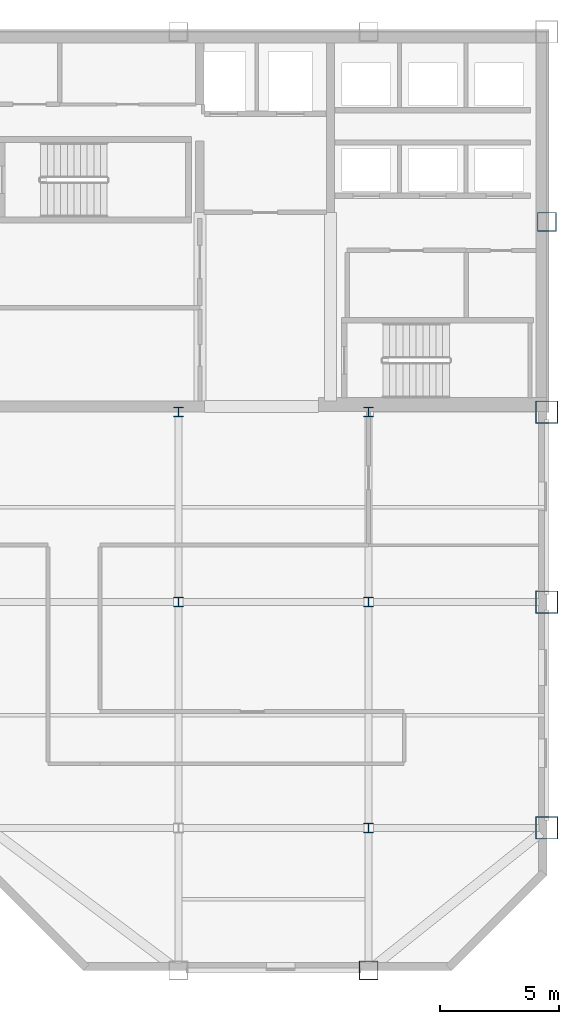
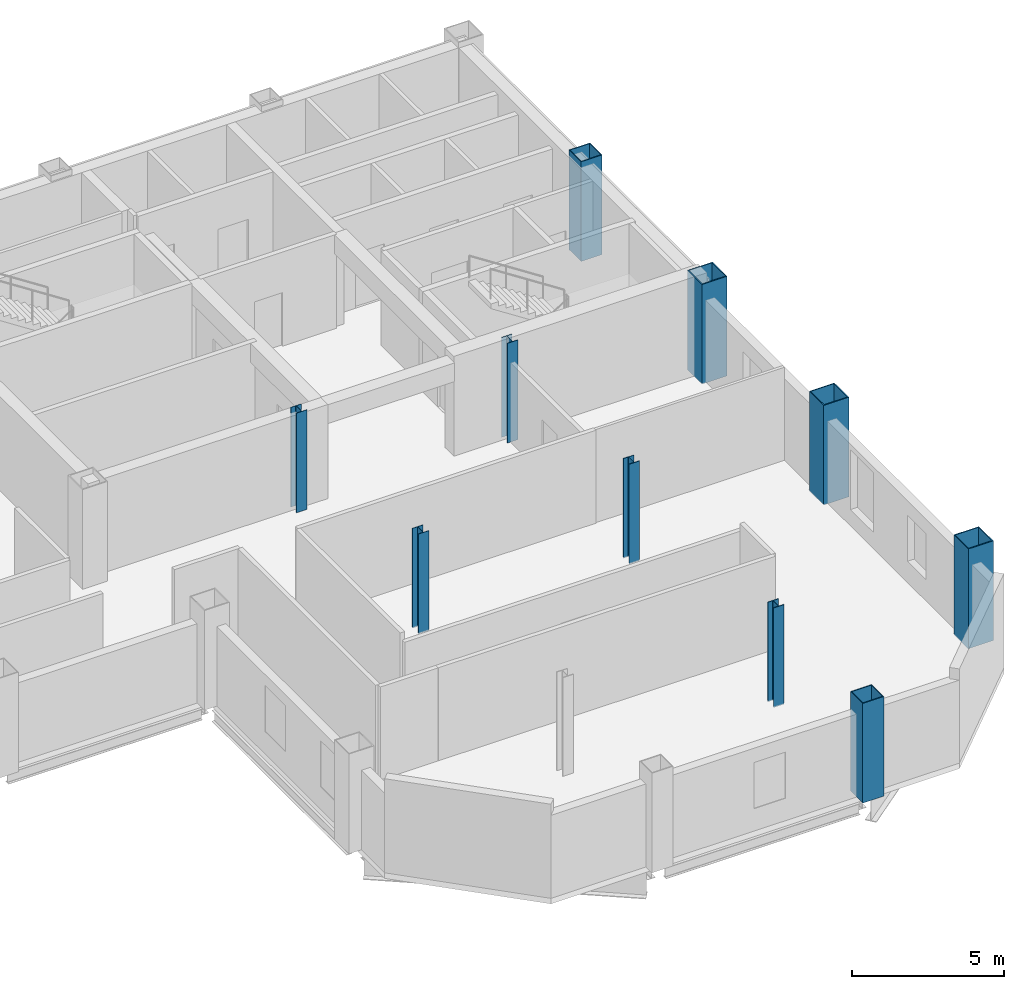
# One storey, part 2 of 10: 10 columns.
"""IFC4 building model written with IfcOpenShell, lengths in metres."""

import ifcopenshell
import ifcopenshell.guid

model = None  # the IFC model being written
_history = None  # IfcOwnerHistory: only IFC2X3 demands one
_inside = {}  # id of a spatial element -> (the spatial element, [elements in it])
_under = {}  # id of a project, library or spatial element -> (it, [spatial elements below it])
_declared = {}  # id of a project -> (the project, [libraries it declares])
_typed = {}  # id of a type object -> (the type object, [elements of that type])
_made_of = {}  # id of a material, layer set ... -> (it, [elements and type objects made of it])


def new_model(schema):
    """Start an empty IFC model of exactly this schema.

    Asked for "IFC4X3", IfcOpenShell would pick the latest addendum, in which some entities
    have other attributes; the version numbers below select the first issue.
    IFC2X3 requires an IfcOwnerHistory on every rooted entity: one is made here for all.
    """
    global model, _history
    if schema == "IFC4X3":
        model = ifcopenshell.file(schema_version=(4, 3, 0, 0))
    else:
        model = ifcopenshell.file(schema=schema)
    _inside.clear()
    _under.clear()
    _declared.clear()
    _typed.clear()
    _made_of.clear()
    _history = None
    if model.schema == "IFC2X3":
        org = make("IfcOrganization", Name="unknown")
        user = make(
            "IfcPersonAndOrganization",
            ThePerson=make("IfcPerson", FamilyName="unknown"),
            TheOrganization=org,
        )
        app = make(
            "IfcApplication",
            ApplicationDeveloper=org,
            Version="unknown",
            ApplicationFullName="unknown",
            ApplicationIdentifier="unknown",
        )
        _history = make(
            "IfcOwnerHistory",
            OwningUser=user,
            OwningApplication=app,
            ChangeAction="ADDED",
            CreationDate=0,
        )
    return model


def make(cls, **values):
    """One entity of the class cls with the attributes given. An attribute that is None is left unset."""
    return model.create_entity(
        cls, **{name: value for name, value in values.items() if value is not None}
    )


def rooted(cls, **values):
    """An entity with a GlobalId (a new one), such as an element, a storey or a relation."""
    return make(cls, GlobalId=ifcopenshell.guid.new(), OwnerHistory=_history, **values)


def si_unit(unit_type, name, prefix=None):
    """IfcSIUnit, for example si_unit("LENGTHUNIT", "METRE", prefix="MILLI")."""
    return make("IfcSIUnit", UnitType=unit_type, Prefix=prefix, Name=name)


def assignment(units):
    """IfcUnitAssignment: the units of a project."""
    return None if units is None else make("IfcUnitAssignment", Units=units)


def point(xyz):
    """IfcCartesianPoint."""
    return None if xyz is None else make("IfcCartesianPoint", Coordinates=xyz)


def direction(xyz):
    """IfcDirection."""
    return None if xyz is None else make("IfcDirection", DirectionRatios=xyz)


def frame(location, z_axis=None, x_axis=None):
    """IfcAxis2Placement3D, a coordinate frame: its origin and axes. An axis left out is left unset."""
    return make(
        "IfcAxis2Placement3D",
        Location=point(location),
        Axis=direction(z_axis),
        RefDirection=direction(x_axis),
    )


def frame_2d(location, x_axis=None):
    """IfcAxis2Placement2D, a coordinate frame in the plane: its origin and x axis."""
    return make(
        "IfcAxis2Placement2D", Location=point(location), RefDirection=direction(x_axis)
    )


def origin():
    """The frame at (0, 0, 0) with its axes left unset."""
    return frame((0.0, 0.0, 0.0))


def origin_2d():
    """The frame at (0, 0) in the plane with its x axis left unset."""
    return frame_2d((0.0, 0.0))


def place(relative_to, where):
    """IfcLocalPlacement: puts the frame where relative to a parent placement (None: the world)."""
    return make(
        "IfcLocalPlacement", PlacementRelTo=relative_to, RelativePlacement=where
    )


def context(
    kind, dimensions, precision=None, world=None, true_north=None, identifier=None
):
    """IfcGeometricRepresentationContext, for example the 3D "Model" context."""
    return make(
        "IfcGeometricRepresentationContext",
        ContextIdentifier=identifier,
        ContextType=kind,
        CoordinateSpaceDimension=dimensions,
        Precision=precision,
        WorldCoordinateSystem=world,
        TrueNorth=true_north,
    )


def subcontext(parent, identifier, kind, view, scale=None):
    """IfcGeometricRepresentationSubContext, for example "Body" below "Model"."""
    return make(
        "IfcGeometricRepresentationSubContext",
        ContextIdentifier=identifier,
        ContextType=kind,
        ParentContext=parent,
        TargetScale=scale,
        TargetView=view,
    )


def project(units=None, contexts=None):
    """IfcProject with its units and contexts."""
    return rooted(
        "IfcProject",
        Name="project",
        RepresentationContexts=contexts,
        UnitsInContext=assignment(units),
    )


def spatial(cls, under=None, at=None, **own):
    """A site, building, storey or space (cls), placed at a placement, below another one or the project."""
    s = rooted(cls, ObjectPlacement=at, **own)
    if under is not None:
        _under.setdefault(under.id(), (under, []))[1].append(s)
    return s


def profile(cls, at=None, kind="AREA", **sizes):
    """A parametric profile (cls). Its sizes go by their IFC names, for example OverallWidth=200.0."""
    return make(cls, ProfileType=kind, Position=at, **sizes)


def hollow_rectangle(**sizes):
    """IfcRectangleHollowProfileDef."""
    return profile("IfcRectangleHollowProfileDef", **sizes)


def i_section(**sizes):
    """IfcIShapeProfileDef."""
    return profile("IfcIShapeProfileDef", **sizes)


def extrude(swept, where, along, depth):
    """IfcExtrudedAreaSolid: the profile swept, set in the frame where, extruded along a direction by depth."""
    return make(
        "IfcExtrudedAreaSolid",
        SweptArea=swept,
        Position=where,
        ExtrudedDirection=direction(along),
        Depth=depth,
    )


def shape(context_of_items, identifier, shape_type, items):
    """IfcShapeRepresentation: the items that make up one representation, for example the "Body"."""
    return make(
        "IfcShapeRepresentation",
        ContextOfItems=context_of_items,
        RepresentationIdentifier=identifier,
        RepresentationType=shape_type,
        Items=items,
    )


def material(Name=None, Category=None):
    """IfcMaterial."""
    return make("IfcMaterial", Name=Name, Category=Category)


def material_profile(
    of_material, cross_section, Name=None, Category=None, Priority=None
):
    """IfcMaterialProfile: a cross section and its material."""
    return make(
        "IfcMaterialProfile",
        Name=Name,
        Material=of_material,
        Profile=cross_section,
        Priority=Priority,
        Category=Category,
    )


def profile_set(profiles, Name=None, composite=None):
    """IfcMaterialProfileSet."""
    return make(
        "IfcMaterialProfileSet",
        Name=Name,
        MaterialProfiles=profiles,
        CompositeProfile=composite,
    )


def made_of(thing, what):
    """Note that an element or type object is made of a material, layer set ...; save() writes the relation."""
    if what is not None:
        _made_of.setdefault(what.id(), (what, []))[1].append(thing)
    return thing


def type_object(cls, material=None, **own):
    """A type object (cls), such as IfcWallType, which elements share."""
    return made_of(rooted(cls, **own), material)


def element(
    cls,
    number,
    at=None,
    inside=None,
    cuts=None,
    type_object=None,
    material=None,
    context=None,
    identifier="Body",
    shape_type=None,
    held_by="IfcProductDefinitionShape",
    body=None,
    shapes=None,
    **own,
):
    """One element of the class cls, such as IfcWall. Its Tag is "e" and its number.

    at: its placement. inside: the storey or other place that contains it. cuts: it is an
    opening in that element (IfcRelVoidsElement). A single representation is given by context,
    identifier, shape_type and body (its items); several are given by shapes. held_by: the class
    of the entity that holds the representations. save() writes the other relations.
    """
    e = rooted(cls, Tag="e%d" % number, ObjectPlacement=at, **own)
    if body is not None:
        shapes = [shape(context, identifier, shape_type, body)]
    if shapes is not None:
        e.Representation = make(held_by, Representations=shapes)
    if inside is not None:
        _inside.setdefault(inside.id(), (inside, []))[1].append(e)
    if cuts is not None:
        rooted(
            "IfcRelVoidsElement", RelatingBuildingElement=cuts, RelatedOpeningElement=e
        )
    if type_object is not None:
        _typed.setdefault(type_object.id(), (type_object, []))[1].append(e)
    return made_of(e, material)


def aggregate(whole, parts):
    """IfcRelAggregates: a whole, such as a stair, and the parts it consists of."""
    return rooted("IfcRelAggregates", RelatingObject=whole, RelatedObjects=parts)


def save(model, path):
    """Write the relations noted so far, then the file.

    IfcRelAggregates (storeys below a building ...), IfcRelContainedInSpatialStructure (elements
    in a storey), IfcRelDefinesByType, IfcRelAssociatesMaterial and IfcRelDeclares: one each for
    every whole, place, type object, material and project.
    """
    for whole, parts in _under.values():
        aggregate(whole, parts)
    for where, things in _inside.values():
        rooted(
            "IfcRelContainedInSpatialStructure",
            RelatedElements=things,
            RelatingStructure=where,
        )
    for kind, things in _typed.values():
        rooted("IfcRelDefinesByType", RelatedObjects=things, RelatingType=kind)
    for what, things in _made_of.values():
        rooted("IfcRelAssociatesMaterial", RelatedObjects=things, RelatingMaterial=what)
    for by, libraries in _declared.values():
        rooted("IfcRelDeclares", RelatingContext=by, RelatedDefinitions=libraries)
    model.write(path)


model = new_model("IFC4")

# Units and contexts
model_context = context("Model", 3, precision=1e-05, world=origin(), true_north=direction((0.0, 1.0)))
body_context = subcontext(model_context, "Body", "Model", "MODEL_VIEW")
ifc_project = project(units=[si_unit("LENGTHUNIT", "METRE"), si_unit("AREAUNIT", "SQUARE_METRE"), si_unit("VOLUMEUNIT", "CUBIC_METRE"), si_unit("PLANEANGLEUNIT", "RADIAN"), si_unit("MASSUNIT", "GRAM", prefix="KILO")], contexts=[model_context])

# Site, building, storey
site_placement = place(None, origin())
site = spatial("IfcSite", under=ifc_project, at=site_placement, CompositionType="ELEMENT")
building_placement = place(site_placement, origin())
building = spatial("IfcBuilding", under=site, at=building_placement, Name="Qianrong Seaharbour Tower", CompositionType="ELEMENT")
storey_placement = place(building_placement, frame((0.0, 0.0, 261.800048828125)))
storey = spatial("IfcBuildingStorey", under=building, at=storey_placement, Name="L63", CompositionType="ELEMENT", Elevation=261.800048828125)

# Columns
ifc_material = material(Name="Structural steel SN490B", Category="steel")
ifc_material_profile_1 = material_profile(ifc_material, hollow_rectangle(XDim=0.949951171875, YDim=0.949951171875, WallThickness=0.035888671875, at=origin_2d()), Name="BOX950x950x36")
ifc_profile_set_1 = profile_set([ifc_material_profile_1], Name="Structural steel SN490B")
column_type_1 = type_object("IfcColumnType", Name="COL-CFT-950", PredefinedType="COLUMN", material=ifc_profile_set_1)
for number, where, z_axis, x_axis, name in (
    (1, (64.0, 18.5, 0.0), (0.0, 0.0, 1.0), (1.0, 0.0, 0.0), "L63 Column MC-4 at G9/GD"),
    (2, (64.0, 28.0, 0.0), (0.0, 0.0, 1.0), (1.0, 0.0, 0.0), "L63 Column MC-4 at G9/GE"),
    (3, (64.0, 36.0, 0.0), (0.0, 0.0, 1.0), (1.0, 0.0, 0.0), "L63 Column MC-4 at G9/GF"),
):
    element("IfcColumn", number, at=place(storey_placement, frame(where, z_axis=z_axis, x_axis=x_axis)), inside=storey, type_object=column_type_1, Name=name, PredefinedType="COLUMN", context=body_context, shape_type="SweptSolid", body=[
        extrude(hollow_rectangle(XDim=0.949951171875, YDim=0.949951171875, WallThickness=0.035888671875, at=origin_2d()), origin(), (0.0, 0.0, 1.0), 4.0),
    ])
ifc_material_profile_2 = material_profile(ifc_material, i_section(OverallWidth=0.39990234375, OverallDepth=0.39990234375, WebThickness=0.012939453125, FlangeThickness=0.02099609375, FilletRadius=0.02197265625, at=origin_2d()), Name="H400x400x13x21")
ifc_profile_set_2 = profile_set([ifc_material_profile_2], Name="Structural steel SN490B")
column_type_2 = type_object("IfcColumnType", Name="COL-INT-H400", PredefinedType="COLUMN", material=ifc_profile_set_2)
for number, where, z_axis, x_axis, name in (
    (4, (48.5, 28.0, 0.0), (0.0, 0.0, 1.0), (1.0, 0.0, 0.0), "L63 Column IC-3 at G7/GE"),
    (5, (48.5, 36.0, 0.0), (0.0, 0.0, 1.0), (1.0, 0.0, 0.0), "L63 Column IC-3 at G7/GF"),
    (6, (56.5, 18.5, 0.0), (0.0, 0.0, 1.0), (1.0, 0.0, 0.0), "L63 Column IC-3 at G8/GD"),
    (7, (56.5, 28.0, 0.0), (0.0, 0.0, 1.0), (1.0, 0.0, 0.0), "L63 Column IC-3 at G8/GE"),
    (8, (56.5, 36.0, 0.0), (0.0, 0.0, 1.0), (1.0, 0.0, 0.0), "L63 Column IC-3 at G8/GF"),
):
    element("IfcColumn", number, at=place(storey_placement, frame(where, z_axis=z_axis, x_axis=x_axis)), inside=storey, type_object=column_type_2, Name=name, PredefinedType="COLUMN", context=body_context, shape_type="SweptSolid", body=[
        extrude(i_section(OverallWidth=0.39990234375, OverallDepth=0.39990234375, WebThickness=0.012939453125, FlangeThickness=0.02099609375, FilletRadius=0.02197265625, at=origin_2d()), origin(), (0.0, 0.0, 1.0), 4.0),
    ])
ifc_material_profile_3 = material_profile(ifc_material, hollow_rectangle(XDim=0.800048828125, YDim=0.800048828125, WallThickness=0.031982421875, at=origin_2d()), Name="BOX800x800x32")
ifc_profile_set_3 = profile_set([ifc_material_profile_3], Name="Structural steel SN490B")
column_type_3 = type_object("IfcColumnType", Name="COL-PER-800", PredefinedType="COLUMN", material=ifc_profile_set_3)
for number, where, z_axis, x_axis, name in (
    (9, (56.5, 12.5, 0.0), (0.0, 0.0, 1.0), (1.0, 0.0, 0.0), "L63 Column PC-3 at G8/GC"),
    (10, (64.0, 44.0, 0.0), (0.0, 0.0, 1.0), (1.0, 0.0, 0.0), "L63 Column PC-3 at G9/GG"),
):
    element("IfcColumn", number, at=place(storey_placement, frame(where, z_axis=z_axis, x_axis=x_axis)), inside=storey, type_object=column_type_3, Name=name, PredefinedType="COLUMN", context=body_context, shape_type="SweptSolid", body=[
        extrude(hollow_rectangle(XDim=0.800048828125, YDim=0.800048828125, WallThickness=0.031982421875, at=origin_2d()), origin(), (0.0, 0.0, 1.0), 4.0),
    ])

save(model, "model.ifc")
